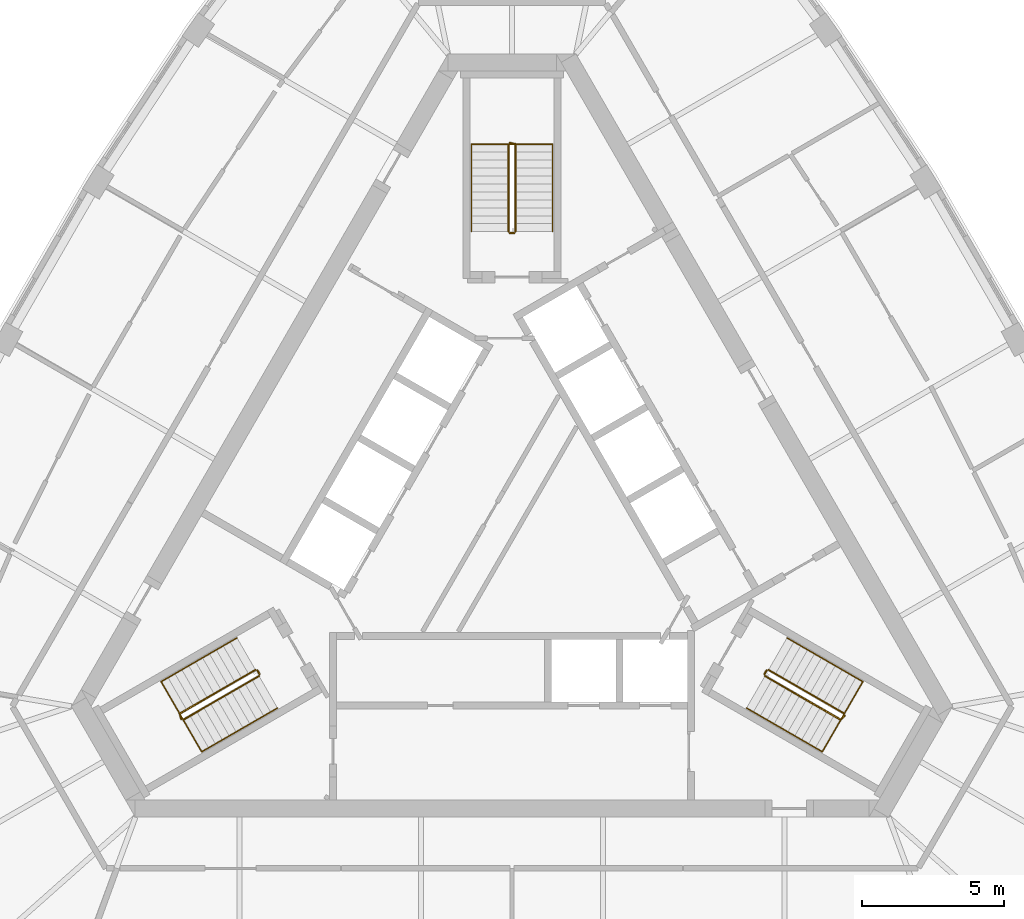
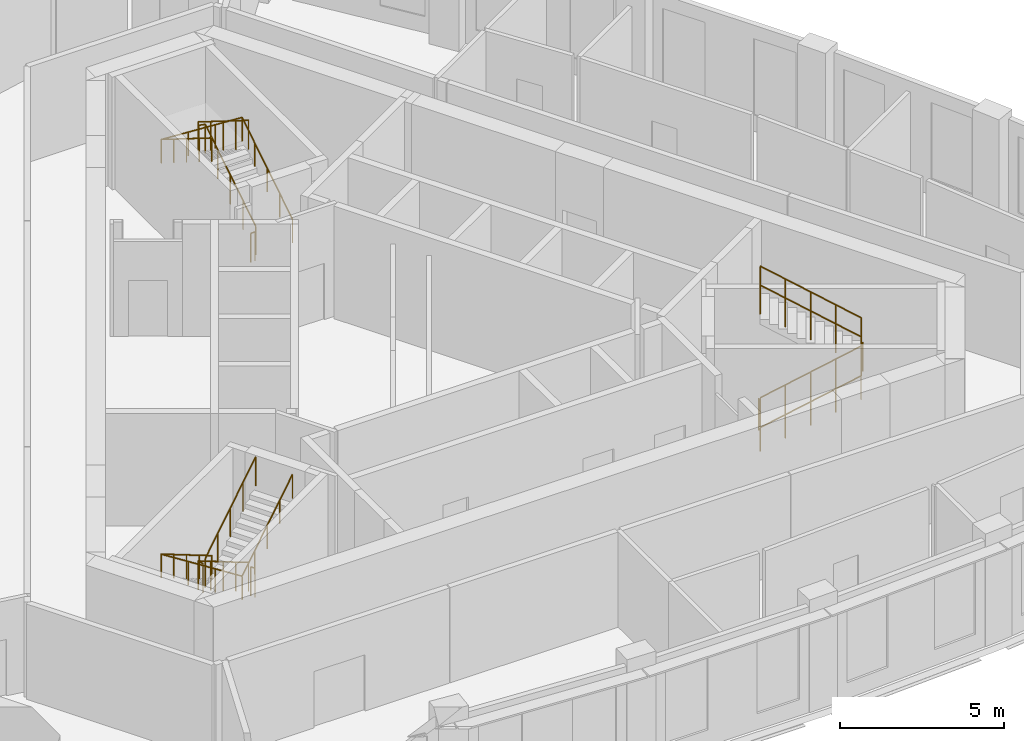
# One storey, part 10 of 10: 12 railings.
"""IFC4 building model written with IfcOpenShell, lengths in metres."""

from ifc_helpers import new_model, si_unit, direction, frame, origin, origin_2d, place, context, subcontext, project, spatial, circle, extrude, material, type_object, element, save


model = new_model("IFC4")

# Units and contexts
model_context = context("Model", 3, precision=1e-05, world=origin(), true_north=direction((0.0, 1.0)))
body_context = subcontext(model_context, "Body", "Model", "MODEL_VIEW")
ifc_project = project(units=[si_unit("LENGTHUNIT", "METRE"), si_unit("AREAUNIT", "SQUARE_METRE"), si_unit("VOLUMEUNIT", "CUBIC_METRE"), si_unit("PLANEANGLEUNIT", "RADIAN"), si_unit("MASSUNIT", "GRAM", prefix="KILO")], contexts=[model_context])

# Site, building, storey
site_placement = place(None, origin())
site = spatial("IfcSite", under=ifc_project, at=site_placement, CompositionType="ELEMENT")
building_placement = place(site_placement, origin())
building = spatial("IfcBuilding", under=site, at=building_placement, Name="Mestral Congress Tower", CompositionType="ELEMENT")
storey_placement = place(building_placement, frame((0.0, 0.0, 296.39990234375)))
storey = spatial("IfcBuildingStorey", under=building, at=storey_placement, Name="L69", CompositionType="ELEMENT", Elevation=296.39990234375)

# Railings
ifc_material_1 = material(Name="Steel balustrade", Category="steel")
railing_type_1 = type_object("IfcRailingType", Name="Stair guard 1100", PredefinedType="GUARDRAIL", material=ifc_material_1)
railing_1_placement = place(storey_placement, frame((8.90087890625, -5.283203125, 0.175048828125)))
element("IfcRailing", 1, at=railing_1_placement, inside=storey, type_object=railing_type_1, Name="L69 ST1 stair guard 1", PredefinedType="GUARDRAIL", context=body_context, shape_type="SweptSolid", body=[
    extrude(circle(Radius=0.02392578125, at=origin_2d()), frame((0.0, 0.0, 1.076171875), z_axis=(0.734364028329, -0.424015404183, 0.530019255228), x_axis=(0.500026652407, 0.866010015463, 0.0)), (0.0, 0.0, 1.0), 3.632080078125),
    extrude(circle(Radius=0.02392578125, at=origin_2d()), frame((2.667236328125, -1.5400390625, 3.0009765625), z_axis=(0.695164929852, 0.718850276695, 0.0), x_axis=(-0.718850276695, 0.695164929852, 0.0)), (0.0, 0.0, 1.0), 0.2060546875),
    extrude(circle(Radius=0.02099609375, at=origin_2d()), origin(), (0.0, 0.0, 1.0), 1.052001953125),
    extrude(circle(Radius=0.02099609375, at=origin_2d()), frame((0.666748046875, -0.385009765625, 0.481201171875)), (0.0, 0.0, 1.0), 1.052001953125),
    extrude(circle(Radius=0.02099609375, at=origin_2d()), frame((1.33349609375, -0.77001953125, 0.96240234375)), (0.0, 0.0, 1.0), 1.052001953125),
    extrude(circle(Radius=0.02099609375, at=origin_2d()), frame((2.00048828125, -1.155029296875, 1.44384765625)), (0.0, 0.0, 1.0), 1.052001953125),
    extrude(circle(Radius=0.02099609375, at=origin_2d()), frame((2.667236328125, -1.5400390625, 1.925048828125)), (0.0, 0.0, 1.0), 1.052001953125),
    extrude(circle(Radius=0.02099609375, at=origin_2d()), frame((2.810546875, -1.391845703125, 1.925048828125)), (0.0, 0.0, 1.0), 1.052001953125),
])
railing_2_placement = place(storey_placement, frame((11.693115234375, -6.606689453125, 2.275146484375)))
element("IfcRailing", 2, at=railing_2_placement, inside=storey, type_object=railing_type_1, Name="L69 ST1 stair guard 2", PredefinedType="GUARDRAIL", context=body_context, shape_type="SweptSolid", body=[
    extrude(circle(Radius=0.02392578125, at=origin_2d()), frame((0.0, 0.0, 1.076171875), z_axis=(-0.734364028329, 0.424015404183, 0.530019255228), x_axis=(-0.500026652407, -0.866010015463, 0.0)), (0.0, 0.0, 1.0), 3.632080078125),
    extrude(circle(Radius=0.02099609375, at=origin_2d()), origin(), (0.0, 0.0, 1.0), 1.052001953125),
    extrude(circle(Radius=0.02099609375, at=origin_2d()), frame((-0.666748046875, 0.385009765625, 0.481201171875)), (0.0, 0.0, 1.0), 1.052001953125),
    extrude(circle(Radius=0.02099609375, at=origin_2d()), frame((-1.33349609375, 0.77001953125, 0.96240234375)), (0.0, 0.0, 1.0), 1.052001953125),
    extrude(circle(Radius=0.02099609375, at=origin_2d()), frame((-2.00048828125, 1.155029296875, 1.44384765625)), (0.0, 0.0, 1.0), 1.052001953125),
    extrude(circle(Radius=0.02099609375, at=origin_2d()), frame((-2.667236328125, 1.5400390625, 1.925048828125)), (0.0, 0.0, 1.0), 1.052001953125),
])
railing_3_placement = place(storey_placement, frame((8.882568359375, -5.21484375, 0.0)))
element("IfcRailing", 3, at=railing_3_placement, inside=storey, type_object=railing_type_1, Name="L69 ST1 stair guard 3", PredefinedType="GUARDRAIL", context=body_context, shape_type="SweptSolid", body=[
    extrude(circle(Radius=0.02392578125, at=origin_2d()), frame((0.0, 0.0, 1.076171875), z_axis=(0.499816412211, 0.866131372301, 0.0), x_axis=(-0.866131372301, 0.499816412211, 0.0)), (0.0, 0.0, 1.0), 0.14990234375),
    extrude(circle(Radius=0.02099609375, at=origin_2d()), origin(), (0.0, 0.0, 1.0), 1.052001953125),
    extrude(circle(Radius=0.02099609375, at=origin_2d()), frame((0.074951171875, 0.1298828125, 0.0)), (0.0, 0.0, 1.0), 1.052001953125),
])
railing_4_placement = place(storey_placement, frame((0.125, 10.35009765625, 0.175048828125)))
element("IfcRailing", 4, at=railing_4_placement, inside=storey, type_object=railing_type_1, Name="L69 ST2 stair guard 1", PredefinedType="GUARDRAIL", context=body_context, shape_type="SweptSolid", body=[
    extrude(circle(Radius=0.02392578125, at=origin_2d()), frame((0.0, 0.0, 1.076171875), z_axis=(0.0, 0.847979421464, 0.530029150871), x_axis=(-1.0, 0.0, 0.0)), (0.0, 0.0, 1.0), 3.632080078125),
    extrude(circle(Radius=0.02392578125, at=origin_2d()), frame((0.0, 3.079833984375, 3.0009765625), z_axis=(-0.970072785993, 0.242814311512, 0.0), x_axis=(-0.242814311512, -0.970072785993, 0.0)), (0.0, 0.0, 1.0), 0.2060546875),
    extrude(circle(Radius=0.02099609375, at=origin_2d()), origin(), (0.0, 0.0, 1.0), 1.052001953125),
    extrude(circle(Radius=0.02099609375, at=origin_2d()), frame((0.0, 0.77001953125, 0.481201171875)), (0.0, 0.0, 1.0), 1.052001953125),
    extrude(circle(Radius=0.02099609375, at=origin_2d()), frame((0.0, 1.5400390625, 0.96240234375)), (0.0, 0.0, 1.0), 1.052001953125),
    extrude(circle(Radius=0.02099609375, at=origin_2d()), frame((0.0, 2.309814453125, 1.44384765625)), (0.0, 0.0, 1.0), 1.052001953125),
    extrude(circle(Radius=0.02099609375, at=origin_2d()), frame((0.0, 3.079833984375, 1.925048828125)), (0.0, 0.0, 1.0), 1.052001953125),
    extrude(circle(Radius=0.02099609375, at=origin_2d()), frame((-0.199951171875, 3.1298828125, 1.925048828125)), (0.0, 0.0, 1.0), 1.052001953125),
])
railing_5_placement = place(storey_placement, frame((-0.125, 13.429931640625, 2.275146484375)))
element("IfcRailing", 5, at=railing_5_placement, inside=storey, type_object=railing_type_1, Name="L69 ST2 stair guard 2", PredefinedType="GUARDRAIL", context=body_context, shape_type="SweptSolid", body=[
    extrude(circle(Radius=0.02392578125, at=origin_2d()), frame((0.0, 0.0, 1.076171875), z_axis=(0.0, -0.847979421464, 0.530029150871), x_axis=(1.0, 0.0, 0.0)), (0.0, 0.0, 1.0), 3.632080078125),
    extrude(circle(Radius=0.02099609375, at=origin_2d()), origin(), (0.0, 0.0, 1.0), 1.052001953125),
    extrude(circle(Radius=0.02099609375, at=origin_2d()), frame((0.0, -0.77001953125, 0.481201171875)), (0.0, 0.0, 1.0), 1.052001953125),
    extrude(circle(Radius=0.02099609375, at=origin_2d()), frame((0.0, -1.5400390625, 0.96240234375)), (0.0, 0.0, 1.0), 1.052001953125),
    extrude(circle(Radius=0.02099609375, at=origin_2d()), frame((0.0, -2.309814453125, 1.44384765625)), (0.0, 0.0, 1.0), 1.052001953125),
    extrude(circle(Radius=0.02099609375, at=origin_2d()), frame((0.0, -3.079833984375, 1.925048828125)), (0.0, 0.0, 1.0), 1.052001953125),
])
railing_6_placement = place(storey_placement, frame((0.074951171875, 10.300048828125, 0.0)))
element("IfcRailing", 6, at=railing_6_placement, inside=storey, type_object=railing_type_1, Name="L69 ST2 stair guard 3", PredefinedType="GUARDRAIL", context=body_context, shape_type="SweptSolid", body=[
    extrude(circle(Radius=0.02392578125, at=origin_2d()), frame((0.0, 0.0, 1.076171875), z_axis=(-1.0, 0.0, 0.0), x_axis=(0.0, -1.0, 0.0)), (0.0, 0.0, 1.0), 0.14990234375),
    extrude(circle(Radius=0.02099609375, at=origin_2d()), origin(), (0.0, 0.0, 1.0), 1.052001953125),
    extrude(circle(Radius=0.02099609375, at=origin_2d()), frame((-0.14990234375, 0.0, 0.0)), (0.0, 0.0, 1.0), 1.052001953125),
])
railing_7_placement = place(storey_placement, frame((-9.02587890625, -5.066650390625, 0.175048828125)))
element("IfcRailing", 7, at=railing_7_placement, inside=storey, type_object=railing_type_1, Name="L69 ST3 stair guard 1", PredefinedType="GUARDRAIL", context=body_context, shape_type="SweptSolid", body=[
    extrude(circle(Radius=0.02392578125, at=origin_2d()), frame((0.0, 0.0, 1.076171875), z_axis=(-0.734364028329, -0.424015404183, 0.530019255228), x_axis=(0.500026652407, -0.866010015463, 0.0)), (0.0, 0.0, 1.0), 3.632080078125),
    extrude(circle(Radius=0.02392578125, at=origin_2d()), frame((-2.667236328125, -1.5400390625, 3.0009765625), z_axis=(0.274721127897, -0.961523947641, 0.0), x_axis=(0.961523947641, 0.274721127897, 0.0)), (0.0, 0.0, 1.0), 0.2060546875),
    extrude(circle(Radius=0.02099609375, at=origin_2d()), origin(), (0.0, 0.0, 1.0), 1.052001953125),
    extrude(circle(Radius=0.02099609375, at=origin_2d()), frame((-0.666748046875, -0.385009765625, 0.481201171875)), (0.0, 0.0, 1.0), 1.052001953125),
    extrude(circle(Radius=0.02099609375, at=origin_2d()), frame((-1.33349609375, -0.77001953125, 0.96240234375)), (0.0, 0.0, 1.0), 1.052001953125),
    extrude(circle(Radius=0.02099609375, at=origin_2d()), frame((-2.00048828125, -1.155029296875, 1.44384765625)), (0.0, 0.0, 1.0), 1.052001953125),
    extrude(circle(Radius=0.02099609375, at=origin_2d()), frame((-2.667236328125, -1.5400390625, 1.925048828125)), (0.0, 0.0, 1.0), 1.052001953125),
    extrude(circle(Radius=0.02099609375, at=origin_2d()), frame((-2.610595703125, -1.73828125, 1.925048828125)), (0.0, 0.0, 1.0), 1.052001953125),
])
railing_8_placement = place(storey_placement, frame((-11.568115234375, -6.8232421875, 2.275146484375)))
element("IfcRailing", 8, at=railing_8_placement, inside=storey, type_object=railing_type_1, Name="L69 ST3 stair guard 2", PredefinedType="GUARDRAIL", context=body_context, shape_type="SweptSolid", body=[
    extrude(circle(Radius=0.02392578125, at=origin_2d()), frame((0.0, 0.0, 1.076171875), z_axis=(0.734364028329, 0.424015404183, 0.530019255228), x_axis=(-0.500026652407, 0.866010015463, 0.0)), (0.0, 0.0, 1.0), 3.632080078125),
    extrude(circle(Radius=0.02099609375, at=origin_2d()), origin(), (0.0, 0.0, 1.0), 1.052001953125),
    extrude(circle(Radius=0.02099609375, at=origin_2d()), frame((0.666748046875, 0.385009765625, 0.481201171875)), (0.0, 0.0, 1.0), 1.052001953125),
    extrude(circle(Radius=0.02099609375, at=origin_2d()), frame((1.33349609375, 0.77001953125, 0.96240234375)), (0.0, 0.0, 1.0), 1.052001953125),
    extrude(circle(Radius=0.02099609375, at=origin_2d()), frame((2.00048828125, 1.155029296875, 1.44384765625)), (0.0, 0.0, 1.0), 1.052001953125),
    extrude(circle(Radius=0.02099609375, at=origin_2d()), frame((2.667236328125, 1.5400390625, 1.925048828125)), (0.0, 0.0, 1.0), 1.052001953125),
])
railing_9_placement = place(storey_placement, frame((-8.95751953125, -5.0849609375, 0.0)))
element("IfcRailing", 9, at=railing_9_placement, inside=storey, type_object=railing_type_1, Name="L69 ST3 stair guard 3", PredefinedType="GUARDRAIL", context=body_context, shape_type="SweptSolid", body=[
    extrude(circle(Radius=0.02392578125, at=origin_2d()), frame((0.0, 0.0, 1.076171875), z_axis=(0.499816412211, -0.866131372301, 0.0), x_axis=(0.866131372301, 0.499816412211, 0.0)), (0.0, 0.0, 1.0), 0.14990234375),
    extrude(circle(Radius=0.02099609375, at=origin_2d()), origin(), (0.0, 0.0, 1.0), 1.052001953125),
    extrude(circle(Radius=0.02099609375, at=origin_2d()), frame((0.074951171875, -0.1298828125, 0.0)), (0.0, 0.0, 1.0), 1.052001953125),
])
ifc_material_2 = material(Name="Steel handrail", Category="steel")
railing_type_2 = type_object("IfcRailingType", Name="Stair handrail 900", PredefinedType="HANDRAIL", material=ifc_material_2)
railing_10_placement = place(storey_placement, frame((8.2509765625, -6.4091796875, 0.175048828125)))
element("IfcRailing", 10, at=railing_10_placement, inside=storey, type_object=railing_type_2, Name="L69 ST1 stair handrail 1", PredefinedType="HANDRAIL", context=body_context, shape_type="SweptSolid", body=[
    extrude(circle(Radius=0.02392578125, at=origin_2d()), frame((0.0, 0.0, 0.8759765625), z_axis=(0.734384958227, -0.423960268333, 0.530034361155), x_axis=(0.499967199496, 0.866044340336, 0.0)), (0.0, 0.0, 1.0), 3.6318359375),
    extrude(circle(Radius=0.02392578125, at=origin_2d()), frame((2.667236328125, -1.539794921875, 2.80078125), z_axis=(0.499095769026, 0.864375386171, 0.061307463833), x_axis=(-0.866004402611, 0.500036373335, 0.0)), (0.0, 0.0, 1.0), 2.855224609375),
    extrude(circle(Radius=0.02392578125, at=origin_2d()), frame((4.09228515625, 0.92822265625, 2.97607421875), z_axis=(-0.734394994316, 0.423994474112, 0.52999309264), x_axis=(-0.499992328818, -0.866029832698, 0.0)), (0.0, 0.0, 1.0), 3.63232421875),
    extrude(circle(Radius=0.02099609375, at=origin_2d()), origin(), (0.0, 0.0, 1.0), 0.851806640625),
    extrude(circle(Radius=0.02099609375, at=origin_2d()), frame((0.666748046875, -0.385009765625, 0.481201171875)), (0.0, 0.0, 1.0), 0.851806640625),
    extrude(circle(Radius=0.02099609375, at=origin_2d()), frame((1.33349609375, -0.77001953125, 0.96240234375)), (0.0, 0.0, 1.0), 0.851806640625),
    extrude(circle(Radius=0.02099609375, at=origin_2d()), frame((2.00048828125, -1.15478515625, 1.44384765625)), (0.0, 0.0, 1.0), 0.851806640625),
    extrude(circle(Radius=0.02099609375, at=origin_2d()), frame((2.667236328125, -1.539794921875, 1.925048828125)), (0.0, 0.0, 1.0), 0.851806640625),
    extrude(circle(Radius=0.02099609375, at=origin_2d()), frame((3.142333984375, -0.717041015625, 1.9833984375)), (0.0, 0.0, 1.0), 0.851806640625),
    extrude(circle(Radius=0.02099609375, at=origin_2d()), frame((3.6171875, 0.10546875, 2.041748046875)), (0.0, 0.0, 1.0), 0.851806640625),
    extrude(circle(Radius=0.02099609375, at=origin_2d()), frame((4.09228515625, 0.92822265625, 2.10009765625)), (0.0, 0.0, 1.0), 0.851806640625),
    extrude(circle(Radius=0.02099609375, at=origin_2d()), frame((3.42529296875, 1.313232421875, 2.581298828125)), (0.0, 0.0, 1.0), 0.851806640625),
    extrude(circle(Radius=0.02099609375, at=origin_2d()), frame((2.758544921875, 1.6982421875, 3.0625)), (0.0, 0.0, 1.0), 0.851806640625),
    extrude(circle(Radius=0.02099609375, at=origin_2d()), frame((2.091796875, 2.083251953125, 3.5439453125)), (0.0, 0.0, 1.0), 0.851806640625),
    extrude(circle(Radius=0.02099609375, at=origin_2d()), frame((1.4248046875, 2.46826171875, 4.025146484375)), (0.0, 0.0, 1.0), 0.851806640625),
])
railing_11_placement = place(storey_placement, frame((1.425048828125, 10.35009765625, 0.175048828125)))
element("IfcRailing", 11, at=railing_11_placement, inside=storey, type_object=railing_type_2, Name="L69 ST2 stair handrail 1", PredefinedType="HANDRAIL", context=body_context, shape_type="SweptSolid", body=[
    extrude(circle(Radius=0.02392578125, at=origin_2d()), frame((0.0, 0.0, 0.8759765625), z_axis=(0.0, 0.847979421464, 0.530029150871), x_axis=(-1.0, 0.0, 0.0)), (0.0, 0.0, 1.0), 3.632080078125),
    extrude(circle(Radius=0.02392578125, at=origin_2d()), frame((0.0, 3.079833984375, 2.80078125), z_axis=(-0.998119201106, 0.0, 0.061303021003), x_axis=(0.0, -1.0, 0.0)), (0.0, 0.0, 1.0), 2.85546875),
    extrude(circle(Radius=0.02392578125, at=origin_2d()), frame((-2.85009765625, 3.079833984375, 2.97607421875), z_axis=(0.0, -0.847979421464, 0.530029150871), x_axis=(1.0, 0.0, 0.0)), (0.0, 0.0, 1.0), 3.632080078125),
    extrude(circle(Radius=0.02099609375, at=origin_2d()), origin(), (0.0, 0.0, 1.0), 0.851806640625),
    extrude(circle(Radius=0.02099609375, at=origin_2d()), frame((0.0, 0.77001953125, 0.481201171875)), (0.0, 0.0, 1.0), 0.851806640625),
    extrude(circle(Radius=0.02099609375, at=origin_2d()), frame((0.0, 1.5400390625, 0.96240234375)), (0.0, 0.0, 1.0), 0.851806640625),
    extrude(circle(Radius=0.02099609375, at=origin_2d()), frame((0.0, 2.309814453125, 1.44384765625)), (0.0, 0.0, 1.0), 0.851806640625),
    extrude(circle(Radius=0.02099609375, at=origin_2d()), frame((0.0, 3.079833984375, 1.925048828125)), (0.0, 0.0, 1.0), 0.851806640625),
    extrude(circle(Radius=0.02099609375, at=origin_2d()), frame((-0.949951171875, 3.079833984375, 1.9833984375)), (0.0, 0.0, 1.0), 0.851806640625),
    extrude(circle(Radius=0.02099609375, at=origin_2d()), frame((-1.900146484375, 3.079833984375, 2.041748046875)), (0.0, 0.0, 1.0), 0.851806640625),
    extrude(circle(Radius=0.02099609375, at=origin_2d()), frame((-2.85009765625, 3.079833984375, 2.10009765625)), (0.0, 0.0, 1.0), 0.851806640625),
    extrude(circle(Radius=0.02099609375, at=origin_2d()), frame((-2.85009765625, 2.309814453125, 2.581298828125)), (0.0, 0.0, 1.0), 0.851806640625),
    extrude(circle(Radius=0.02099609375, at=origin_2d()), frame((-2.85009765625, 1.5400390625, 3.0625)), (0.0, 0.0, 1.0), 0.851806640625),
    extrude(circle(Radius=0.02099609375, at=origin_2d()), frame((-2.85009765625, 0.77001953125, 3.5439453125)), (0.0, 0.0, 1.0), 0.851806640625),
    extrude(circle(Radius=0.02099609375, at=origin_2d()), frame((-2.85009765625, 0.0, 4.025146484375)), (0.0, 0.0, 1.0), 0.851806640625),
])
railing_12_placement = place(storey_placement, frame((-9.67578125, -3.94091796875, 0.175048828125)))
element("IfcRailing", 12, at=railing_12_placement, inside=storey, type_object=railing_type_2, Name="L69 ST3 stair handrail 1", PredefinedType="HANDRAIL", context=body_context, shape_type="SweptSolid", body=[
    extrude(circle(Radius=0.02392578125, at=origin_2d()), frame((0.0, 0.0, 0.8759765625), z_axis=(-0.734394994316, -0.423994474112, 0.52999309264), x_axis=(0.499992328818, -0.866029832698, 0.0)), (0.0, 0.0, 1.0), 3.63232421875),
    extrude(circle(Radius=0.02392578125, at=origin_2d()), frame((-2.66748046875, -1.5400390625, 2.80078125), z_axis=(0.499095769026, -0.864375386171, 0.061307463833), x_axis=(0.866004402611, 0.500036373335, 0.0)), (0.0, 0.0, 1.0), 2.855224609375),
    extrude(circle(Radius=0.02392578125, at=origin_2d()), frame((-1.242431640625, -4.008056640625, 2.97607421875), z_axis=(0.734384958227, 0.423960268333, 0.530034361155), x_axis=(-0.499967199496, 0.866044340336, 0.0)), (0.0, 0.0, 1.0), 3.6318359375),
    extrude(circle(Radius=0.02099609375, at=origin_2d()), origin(), (0.0, 0.0, 1.0), 0.851806640625),
    extrude(circle(Radius=0.02099609375, at=origin_2d()), frame((-0.6669921875, -0.385009765625, 0.481201171875)), (0.0, 0.0, 1.0), 0.851806640625),
    extrude(circle(Radius=0.02099609375, at=origin_2d()), frame((-1.333740234375, -0.77001953125, 0.96240234375)), (0.0, 0.0, 1.0), 0.851806640625),
    extrude(circle(Radius=0.02099609375, at=origin_2d()), frame((-2.00048828125, -1.155029296875, 1.44384765625)), (0.0, 0.0, 1.0), 0.851806640625),
    extrude(circle(Radius=0.02099609375, at=origin_2d()), frame((-2.66748046875, -1.5400390625, 1.925048828125)), (0.0, 0.0, 1.0), 0.851806640625),
    extrude(circle(Radius=0.02099609375, at=origin_2d()), frame((-2.1923828125, -2.36279296875, 1.9833984375)), (0.0, 0.0, 1.0), 0.851806640625),
    extrude(circle(Radius=0.02099609375, at=origin_2d()), frame((-1.717529296875, -3.185302734375, 2.041748046875)), (0.0, 0.0, 1.0), 0.851806640625),
    extrude(circle(Radius=0.02099609375, at=origin_2d()), frame((-1.242431640625, -4.008056640625, 2.10009765625)), (0.0, 0.0, 1.0), 0.851806640625),
    extrude(circle(Radius=0.02099609375, at=origin_2d()), frame((-0.57568359375, -3.623046875, 2.581298828125)), (0.0, 0.0, 1.0), 0.851806640625),
    extrude(circle(Radius=0.02099609375, at=origin_2d()), frame((0.09130859375, -3.23828125, 3.0625)), (0.0, 0.0, 1.0), 0.851806640625),
    extrude(circle(Radius=0.02099609375, at=origin_2d()), frame((0.758056640625, -2.853271484375, 3.5439453125)), (0.0, 0.0, 1.0), 0.851806640625),
    extrude(circle(Radius=0.02099609375, at=origin_2d()), frame((1.4248046875, -2.46826171875, 4.025146484375)), (0.0, 0.0, 1.0), 0.851806640625),
])

save(model, "model.ifc")
